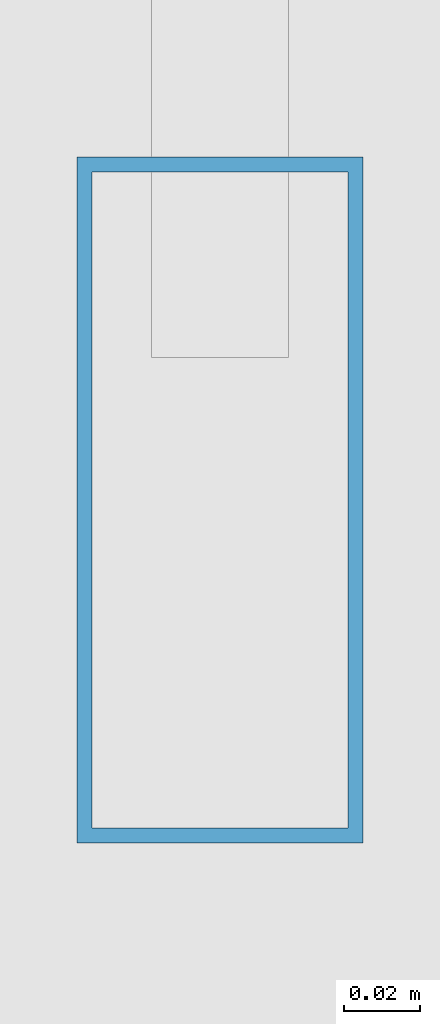
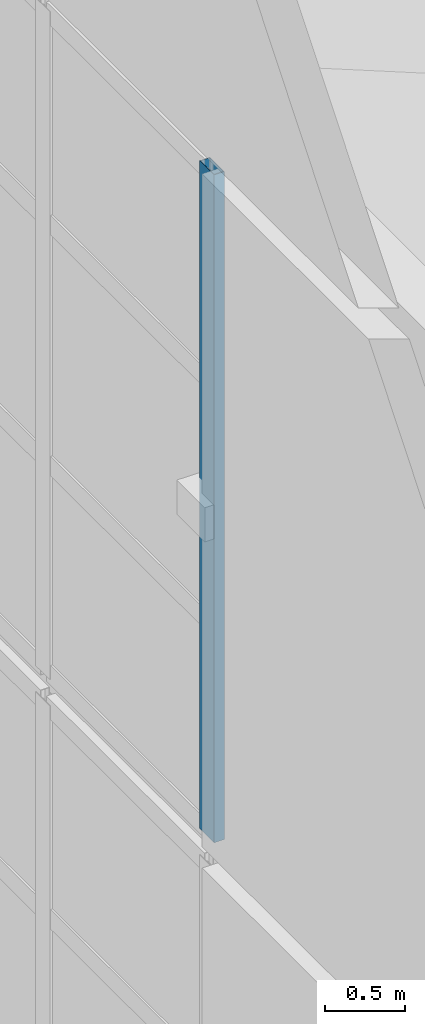
# One storey, part 3 of 47: 1 member, 1 element without a shape of its own.
"""IFC4 building model written with IfcOpenShell, lengths in metres."""

from ifc_helpers import new_model, si_unit, direction, frame, origin, origin_2d, place, context, subcontext, project, spatial, hollow_rectangle, extrude, material, layer, layer_set, material_profile, profile_set, type_object, element, aggregate, save


model = new_model("IFC4")

# Units and contexts
model_context = context("Model", 3, precision=1e-05, world=origin(), true_north=direction((0.0, 1.0)))
body_context = subcontext(model_context, "Body", "Model", "MODEL_VIEW")
ifc_project = project(units=[si_unit("LENGTHUNIT", "METRE"), si_unit("AREAUNIT", "SQUARE_METRE"), si_unit("VOLUMEUNIT", "CUBIC_METRE"), si_unit("PLANEANGLEUNIT", "RADIAN"), si_unit("MASSUNIT", "GRAM", prefix="KILO")], contexts=[model_context])

# Site, building, storey
site_placement = place(None, origin())
site = spatial("IfcSite", under=ifc_project, at=site_placement, CompositionType="ELEMENT")
building_placement = place(site_placement, origin())
building = spatial("IfcBuilding", under=site, at=building_placement, Name="Qiaolan Cultural Towers", CompositionType="ELEMENT")
storey_placement = place(building_placement, frame((0.0, 0.0, 280.199951171875)))
storey = spatial("IfcBuildingStorey", under=building, at=storey_placement, Name="RF", CompositionType="ELEMENT", Elevation=280.199951171875)

# Curtain wall, member
ifc_material_1 = material(Name="Unitized Anodized Aluminium Curtain Wall System", Category="aluminium")
ifc_layer = layer(ifc_material_1, 0.199951171875)
ifc_layer_set = layer_set([ifc_layer], Name="Unitized Anodized Aluminium Curtain Wall System")
curtain_wall_type = type_object("IfcCurtainWallType", Name="CWS-06", PredefinedType="NOTDEFINED", material=ifc_layer_set)
curtain_wall_placement = place(storey_placement, origin())
curtain_wall = element("IfcCurtainWall", 1, at=curtain_wall_placement, inside=storey, type_object=curtain_wall_type, Name="T1 Crown Tier 5 Fritted Screen Curtain Wall 7", PredefinedType="NOTDEFINED")
ifc_material_2 = material(Name="Extruded Aluminium 6063-T6", Category="aluminium")
ifc_material_profile = material_profile(ifc_material_2, hollow_rectangle(XDim=0.074951171875, YDim=0.179931640625, WallThickness=0.00390625, at=origin_2d()), Name="CWM-180x75x4")
ifc_profile_set = profile_set([ifc_material_profile], Name="Extruded Aluminium 6063-T6")
member_type = type_object("IfcMemberType", Name="CWS-06-MUL", PredefinedType="MULLION", material=ifc_profile_set)
member_placement = place(storey_placement, frame((14.949951171875, 27.767578125, 21.300048828125), z_axis=(0.0, 0.0, 1.0), x_axis=(1.0, 0.0, 0.0)))
member = element("IfcMember", 2, at=member_placement, type_object=member_type, Name="CW-6 mullion 7", PredefinedType="MULLION", context=body_context, shape_type="SweptSolid", body=[
    extrude(hollow_rectangle(XDim=0.074951171875, YDim=0.179931640625, WallThickness=0.00390625, at=origin_2d()), origin(), (0.0, 0.0, 1.0), 5.10009765625),
])
aggregate(curtain_wall, [member])

save(model, "model.ifc")
